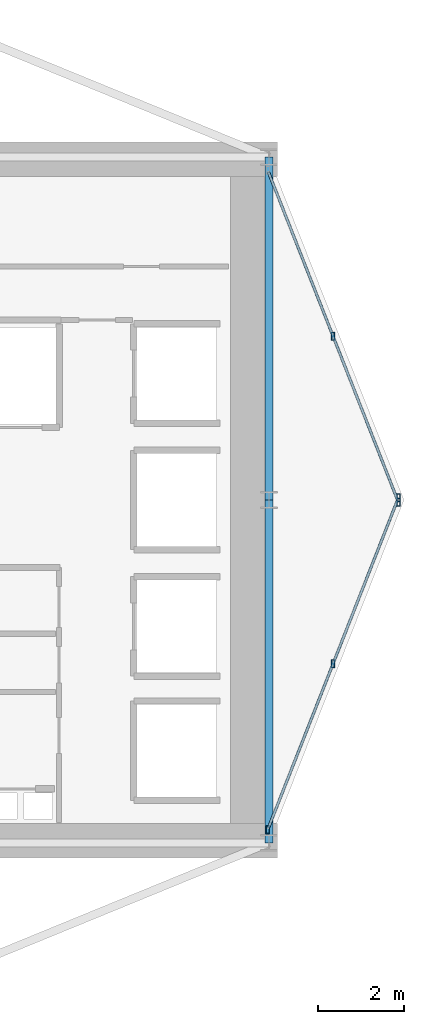
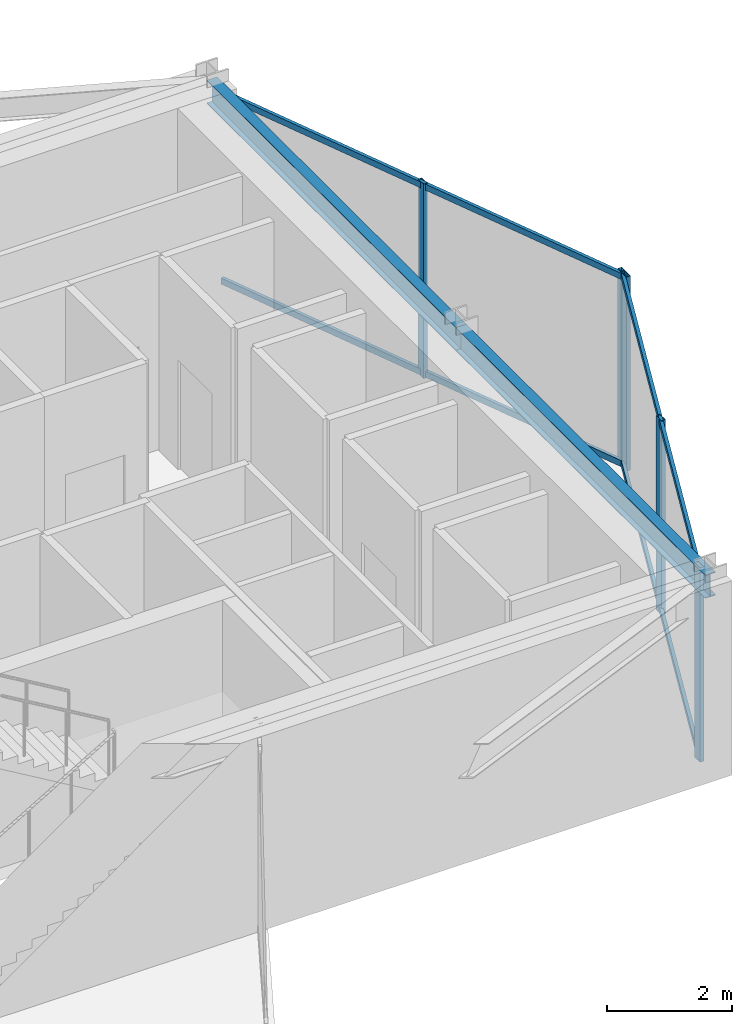
# One storey, part 14 of 25: 9 members, 2 beams, 2 elements without a shape of their own.
"""IFC4 building model written with IfcOpenShell, lengths in metres."""

import ifcopenshell
import ifcopenshell.guid

model = None  # the IFC model being written
_history = None  # IfcOwnerHistory: only IFC2X3 demands one
_inside = {}  # id of a spatial element -> (the spatial element, [elements in it])
_under = {}  # id of a project, library or spatial element -> (it, [spatial elements below it])
_declared = {}  # id of a project -> (the project, [libraries it declares])
_typed = {}  # id of a type object -> (the type object, [elements of that type])
_made_of = {}  # id of a material, layer set ... -> (it, [elements and type objects made of it])


def new_model(schema):
    """Start an empty IFC model of exactly this schema.

    Asked for "IFC4X3", IfcOpenShell would pick the latest addendum, in which some entities
    have other attributes; the version numbers below select the first issue.
    IFC2X3 requires an IfcOwnerHistory on every rooted entity: one is made here for all.
    """
    global model, _history
    if schema == "IFC4X3":
        model = ifcopenshell.file(schema_version=(4, 3, 0, 0))
    else:
        model = ifcopenshell.file(schema=schema)
    _inside.clear()
    _under.clear()
    _declared.clear()
    _typed.clear()
    _made_of.clear()
    _history = None
    if model.schema == "IFC2X3":
        org = make("IfcOrganization", Name="unknown")
        user = make(
            "IfcPersonAndOrganization",
            ThePerson=make("IfcPerson", FamilyName="unknown"),
            TheOrganization=org,
        )
        app = make(
            "IfcApplication",
            ApplicationDeveloper=org,
            Version="unknown",
            ApplicationFullName="unknown",
            ApplicationIdentifier="unknown",
        )
        _history = make(
            "IfcOwnerHistory",
            OwningUser=user,
            OwningApplication=app,
            ChangeAction="ADDED",
            CreationDate=0,
        )
    return model


def make(cls, **values):
    """One entity of the class cls with the attributes given. An attribute that is None is left unset."""
    return model.create_entity(
        cls, **{name: value for name, value in values.items() if value is not None}
    )


def rooted(cls, **values):
    """An entity with a GlobalId (a new one), such as an element, a storey or a relation."""
    return make(cls, GlobalId=ifcopenshell.guid.new(), OwnerHistory=_history, **values)


def si_unit(unit_type, name, prefix=None):
    """IfcSIUnit, for example si_unit("LENGTHUNIT", "METRE", prefix="MILLI")."""
    return make("IfcSIUnit", UnitType=unit_type, Prefix=prefix, Name=name)


def assignment(units):
    """IfcUnitAssignment: the units of a project."""
    return None if units is None else make("IfcUnitAssignment", Units=units)


def point(xyz):
    """IfcCartesianPoint."""
    return None if xyz is None else make("IfcCartesianPoint", Coordinates=xyz)


def direction(xyz):
    """IfcDirection."""
    return None if xyz is None else make("IfcDirection", DirectionRatios=xyz)


def frame(location, z_axis=None, x_axis=None):
    """IfcAxis2Placement3D, a coordinate frame: its origin and axes. An axis left out is left unset."""
    return make(
        "IfcAxis2Placement3D",
        Location=point(location),
        Axis=direction(z_axis),
        RefDirection=direction(x_axis),
    )


def frame_2d(location, x_axis=None):
    """IfcAxis2Placement2D, a coordinate frame in the plane: its origin and x axis."""
    return make(
        "IfcAxis2Placement2D", Location=point(location), RefDirection=direction(x_axis)
    )


def origin():
    """The frame at (0, 0, 0) with its axes left unset."""
    return frame((0.0, 0.0, 0.0))


def origin_2d():
    """The frame at (0, 0) in the plane with its x axis left unset."""
    return frame_2d((0.0, 0.0))


def place(relative_to, where):
    """IfcLocalPlacement: puts the frame where relative to a parent placement (None: the world)."""
    return make(
        "IfcLocalPlacement", PlacementRelTo=relative_to, RelativePlacement=where
    )


def context(
    kind, dimensions, precision=None, world=None, true_north=None, identifier=None
):
    """IfcGeometricRepresentationContext, for example the 3D "Model" context."""
    return make(
        "IfcGeometricRepresentationContext",
        ContextIdentifier=identifier,
        ContextType=kind,
        CoordinateSpaceDimension=dimensions,
        Precision=precision,
        WorldCoordinateSystem=world,
        TrueNorth=true_north,
    )


def subcontext(parent, identifier, kind, view, scale=None):
    """IfcGeometricRepresentationSubContext, for example "Body" below "Model"."""
    return make(
        "IfcGeometricRepresentationSubContext",
        ContextIdentifier=identifier,
        ContextType=kind,
        ParentContext=parent,
        TargetScale=scale,
        TargetView=view,
    )


def project(units=None, contexts=None):
    """IfcProject with its units and contexts."""
    return rooted(
        "IfcProject",
        Name="project",
        RepresentationContexts=contexts,
        UnitsInContext=assignment(units),
    )


def spatial(cls, under=None, at=None, **own):
    """A site, building, storey or space (cls), placed at a placement, below another one or the project."""
    s = rooted(cls, ObjectPlacement=at, **own)
    if under is not None:
        _under.setdefault(under.id(), (under, []))[1].append(s)
    return s


def profile(cls, at=None, kind="AREA", **sizes):
    """A parametric profile (cls). Its sizes go by their IFC names, for example OverallWidth=200.0."""
    return make(cls, ProfileType=kind, Position=at, **sizes)


def hollow_rectangle(**sizes):
    """IfcRectangleHollowProfileDef."""
    return profile("IfcRectangleHollowProfileDef", **sizes)


def i_section(**sizes):
    """IfcIShapeProfileDef."""
    return profile("IfcIShapeProfileDef", **sizes)


def extrude(swept, where, along, depth):
    """IfcExtrudedAreaSolid: the profile swept, set in the frame where, extruded along a direction by depth."""
    return make(
        "IfcExtrudedAreaSolid",
        SweptArea=swept,
        Position=where,
        ExtrudedDirection=direction(along),
        Depth=depth,
    )


def shape(context_of_items, identifier, shape_type, items):
    """IfcShapeRepresentation: the items that make up one representation, for example the "Body"."""
    return make(
        "IfcShapeRepresentation",
        ContextOfItems=context_of_items,
        RepresentationIdentifier=identifier,
        RepresentationType=shape_type,
        Items=items,
    )


def material(Name=None, Category=None):
    """IfcMaterial."""
    return make("IfcMaterial", Name=Name, Category=Category)


def layer(
    of_material, thickness, ventilated=None, Name=None, Category=None, Priority=None
):
    """IfcMaterialLayer: one layer of a wall or slab, of a material (None: an air gap)."""
    return make(
        "IfcMaterialLayer",
        Material=of_material,
        LayerThickness=thickness,
        IsVentilated=ventilated,
        Name=Name,
        Category=Category,
        Priority=Priority,
    )


def layer_set(layers, Name=None):
    """IfcMaterialLayerSet."""
    return make("IfcMaterialLayerSet", MaterialLayers=layers, LayerSetName=Name)


def material_profile(
    of_material, cross_section, Name=None, Category=None, Priority=None
):
    """IfcMaterialProfile: a cross section and its material."""
    return make(
        "IfcMaterialProfile",
        Name=Name,
        Material=of_material,
        Profile=cross_section,
        Priority=Priority,
        Category=Category,
    )


def profile_set(profiles, Name=None, composite=None):
    """IfcMaterialProfileSet."""
    return make(
        "IfcMaterialProfileSet",
        Name=Name,
        MaterialProfiles=profiles,
        CompositeProfile=composite,
    )


def made_of(thing, what):
    """Note that an element or type object is made of a material, layer set ...; save() writes the relation."""
    if what is not None:
        _made_of.setdefault(what.id(), (what, []))[1].append(thing)
    return thing


def type_object(cls, material=None, **own):
    """A type object (cls), such as IfcWallType, which elements share."""
    return made_of(rooted(cls, **own), material)


def element(
    cls,
    number,
    at=None,
    inside=None,
    cuts=None,
    type_object=None,
    material=None,
    context=None,
    identifier="Body",
    shape_type=None,
    held_by="IfcProductDefinitionShape",
    body=None,
    shapes=None,
    **own,
):
    """One element of the class cls, such as IfcWall. Its Tag is "e" and its number.

    at: its placement. inside: the storey or other place that contains it. cuts: it is an
    opening in that element (IfcRelVoidsElement). A single representation is given by context,
    identifier, shape_type and body (its items); several are given by shapes. held_by: the class
    of the entity that holds the representations. save() writes the other relations.
    """
    e = rooted(cls, Tag="e%d" % number, ObjectPlacement=at, **own)
    if body is not None:
        shapes = [shape(context, identifier, shape_type, body)]
    if shapes is not None:
        e.Representation = make(held_by, Representations=shapes)
    if inside is not None:
        _inside.setdefault(inside.id(), (inside, []))[1].append(e)
    if cuts is not None:
        rooted(
            "IfcRelVoidsElement", RelatingBuildingElement=cuts, RelatedOpeningElement=e
        )
    if type_object is not None:
        _typed.setdefault(type_object.id(), (type_object, []))[1].append(e)
    return made_of(e, material)


def aggregate(whole, parts):
    """IfcRelAggregates: a whole, such as a stair, and the parts it consists of."""
    return rooted("IfcRelAggregates", RelatingObject=whole, RelatedObjects=parts)


def save(model, path):
    """Write the relations noted so far, then the file.

    IfcRelAggregates (storeys below a building ...), IfcRelContainedInSpatialStructure (elements
    in a storey), IfcRelDefinesByType, IfcRelAssociatesMaterial and IfcRelDeclares: one each for
    every whole, place, type object, material and project.
    """
    for whole, parts in _under.values():
        aggregate(whole, parts)
    for where, things in _inside.values():
        rooted(
            "IfcRelContainedInSpatialStructure",
            RelatedElements=things,
            RelatingStructure=where,
        )
    for kind, things in _typed.values():
        rooted("IfcRelDefinesByType", RelatedObjects=things, RelatingType=kind)
    for what, things in _made_of.values():
        rooted("IfcRelAssociatesMaterial", RelatedObjects=things, RelatingMaterial=what)
    for by, libraries in _declared.values():
        rooted("IfcRelDeclares", RelatingContext=by, RelatedDefinitions=libraries)
    model.write(path)


model = new_model("IFC4")

# Units and contexts
model_context = context("Model", 3, precision=1e-05, world=origin(), true_north=direction((0.0, 1.0)))
body_context = subcontext(model_context, "Body", "Model", "MODEL_VIEW")
ifc_project = project(units=[si_unit("LENGTHUNIT", "METRE"), si_unit("AREAUNIT", "SQUARE_METRE"), si_unit("VOLUMEUNIT", "CUBIC_METRE"), si_unit("PLANEANGLEUNIT", "RADIAN"), si_unit("MASSUNIT", "GRAM", prefix="KILO")], contexts=[model_context])

# Site, building, storey
site_placement = place(None, origin())
site = spatial("IfcSite", under=ifc_project, at=site_placement, CompositionType="ELEMENT")
building_placement = place(site_placement, origin())
building = spatial("IfcBuilding", under=site, at=building_placement, Name="Veymaron Broadcast Tower", CompositionType="ELEMENT")
storey_placement = place(building_placement, frame((0.0, 0.0, 141.14990234375)))
storey = spatial("IfcBuildingStorey", under=building, at=storey_placement, Name="L32", CompositionType="ELEMENT", Elevation=141.14990234375)

# Beams
ifc_material_1 = material(Name="Structural steel ASTM A992 Gr 50", Category="steel")
ifc_material_profile_1 = material_profile(ifc_material_1, i_section(OverallWidth=0.19091796875, OverallDepth=0.4599609375, WebThickness=0.010009765625, FlangeThickness=0.01611328125, at=origin_2d()), Name="W460X82")
ifc_profile_set_1 = profile_set([ifc_material_profile_1], Name="Structural steel ASTM A992 Gr 50")
beam_type = type_object("IfcBeamType", Name="BM-SP1", PredefinedType="SPANDREL", material=ifc_profile_set_1)
for number, where, z_axis, x_axis, name in (
    (1, (54.60009765625, 16.0, 3.580078125), (0.0, 1.0, 0.0), (-1.0, 0.0, 0.0), "L32 primary structural floor girder"),
    (2, (54.60009765625, 24.0, 3.580078125), (0.0, 1.0, 0.0), (-1.0, 0.0, 0.0), "L32 primary structural floor girder"),
):
    element("IfcBeam", number, at=place(storey_placement, frame(where, z_axis=z_axis, x_axis=x_axis)), inside=storey, type_object=beam_type, Name=name, PredefinedType="SPANDREL", context=body_context, shape_type="SweptSolid", body=[
        extrude(i_section(OverallWidth=0.19091796875, OverallDepth=0.4599609375, WebThickness=0.010009765625, FlangeThickness=0.01611328125, at=origin_2d()), origin(), (0.0, 0.0, 1.0), 8.0),
    ])

# Curtain wall, members
ifc_material_2 = material(Name="Anodised aluminium AA 6063-T6 and laminated low-E dark glass", Category="aluminium")
ifc_layer = layer(ifc_material_2, 0.179931640625)
ifc_layer_set = layer_set([ifc_layer], Name="Anodised aluminium AA 6063-T6 and laminated low-E dark glass")
curtain_wall_type = type_object("IfcCurtainWallType", Name="CW-SYS-03", PredefinedType="NOTDEFINED", material=ifc_layer_set)
curtain_wall_1_placement = place(storey_placement, origin())
curtain_wall_1 = element("IfcCurtainWall", 3, at=curtain_wall_1_placement, inside=storey, type_object=curtain_wall_type, Name="L32 dark-glass curtain wall CW-L32-E2-1", PredefinedType="NOTDEFINED")
ifc_material_3 = material(Name="Anodised aluminium AA 6063-T6", Category="aluminium")
ifc_material_profile_2 = material_profile(ifc_material_3, hollow_rectangle(XDim=0.074951171875, YDim=0.179931640625, WallThickness=0.0048828125, at=origin_2d()), Name="AL180X75X5")
ifc_profile_set_2 = profile_set([ifc_material_profile_2], Name="Anodised aluminium AA 6063-T6")
member_type_1 = type_object("IfcMemberType", Name="CW-MUL-02", PredefinedType="MULLION", material=ifc_profile_set_2)
member_1_placement = place(storey_placement, frame((54.569091796875, 16.303466796875, 0.0), z_axis=(0.0, 0.0, 1.0), x_axis=(1.0, 0.0, 0.0)))
member_1 = element("IfcMember", 4, at=member_1_placement, type_object=member_type_1, Name="CW-L32-E2-1 mullion 0", PredefinedType="MULLION", context=body_context, shape_type="SweptSolid", body=[
    extrude(hollow_rectangle(XDim=0.074951171875, YDim=0.179931640625, WallThickness=0.0048828125, at=origin_2d()), origin(), (0.0, 0.0, 1.0), 3.81005859375),
])
member_2_placement = place(storey_placement, frame((56.094482421875, 20.177490234375, 0.0), z_axis=(0.0, 0.0, 1.0), x_axis=(1.0, 0.0, 0.0)))
member_2 = element("IfcMember", 5, at=member_2_placement, type_object=member_type_1, Name="CW-L32-E2-1 mullion 1", PredefinedType="MULLION", context=body_context, shape_type="SweptSolid", body=[
    extrude(hollow_rectangle(XDim=0.074951171875, YDim=0.179931640625, WallThickness=0.0048828125, at=origin_2d()), origin(), (0.0, 0.0, 1.0), 3.81005859375),
])
member_3_placement = place(storey_placement, frame((57.61962890625, 24.05126953125, 0.0), z_axis=(0.0, 0.0, 1.0), x_axis=(1.0, 0.0, 0.0)))
member_3 = element("IfcMember", 6, at=member_3_placement, type_object=member_type_1, Name="CW-L32-E2-1 mullion 2", PredefinedType="MULLION", context=body_context, shape_type="SweptSolid", body=[
    extrude(hollow_rectangle(XDim=0.074951171875, YDim=0.179931640625, WallThickness=0.0048828125, at=origin_2d()), origin(), (0.0, 0.0, 1.0), 3.81005859375),
])

curtain_wall_2_placement = place(storey_placement, origin())
curtain_wall_2 = element("IfcCurtainWall", 7, at=curtain_wall_2_placement, inside=storey, type_object=curtain_wall_type, Name="L32 dark-glass curtain wall CW-L32-E3-1", PredefinedType="NOTDEFINED")
member_4_placement = place(storey_placement, frame((57.61962890625, 23.94873046875, 0.0), z_axis=(0.0, 0.0, 1.0), x_axis=(1.0, 0.0, 0.0)))
member_4 = element("IfcMember", 8, at=member_4_placement, type_object=member_type_1, Name="CW-L32-E3-1 mullion 0", PredefinedType="MULLION", context=body_context, shape_type="SweptSolid", body=[
    extrude(hollow_rectangle(XDim=0.074951171875, YDim=0.179931640625, WallThickness=0.0048828125, at=origin_2d()), origin(), (0.0, 0.0, 1.0), 3.81005859375),
])
member_5_placement = place(storey_placement, frame((56.094482421875, 27.822509765625, 0.0), z_axis=(0.0, 0.0, 1.0), x_axis=(1.0, 0.0, 0.0)))
member_5 = element("IfcMember", 9, at=member_5_placement, type_object=member_type_1, Name="CW-L32-E3-1 mullion 1", PredefinedType="MULLION", context=body_context, shape_type="SweptSolid", body=[
    extrude(hollow_rectangle(XDim=0.074951171875, YDim=0.179931640625, WallThickness=0.0048828125, at=origin_2d()), origin(), (0.0, 0.0, 1.0), 3.81005859375),
])

# Member
ifc_material_profile_3 = material_profile(ifc_material_3, hollow_rectangle(XDim=0.06005859375, YDim=0.1201171875, WallThickness=0.00390625, at=origin_2d()), Name="AL120X60X4")
ifc_profile_set_3 = profile_set([ifc_material_profile_3], Name="Anodised aluminium AA 6063-T6")
member_type_2 = type_object("IfcMemberType", Name="CW-TRN-02", PredefinedType="USERDEFINED", material=ifc_profile_set_3)
member_6_placement = place(storey_placement, frame((54.58740234375, 16.349853515625, 0.070068359375), z_axis=(0.366345467146, 0.930478908252, 0.0), x_axis=(-0.930478908252, 0.366345467146, 0.0)))
member_6 = element("IfcMember", 10, at=member_6_placement, type_object=member_type_2, Name="CW-L32-E2-1 transom B", ObjectType="TRANSOM", PredefinedType="USERDEFINED", context=body_context, shape_type="SweptSolid", body=[
    extrude(hollow_rectangle(XDim=0.06005859375, YDim=0.1201171875, WallThickness=0.00390625, at=origin_2d()), origin(), (0.0, 0.0, 1.0), 8.22705078125),
])

member_7_placement = place(storey_placement, frame((54.58740234375, 16.349853515625, 3.739990234375), z_axis=(0.366345467146, 0.930478908252, 0.0), x_axis=(-0.930478908252, 0.366345467146, 0.0)))
member_7 = element("IfcMember", 11, at=member_7_placement, type_object=member_type_2, Name="CW-L32-E2-1 transom T", ObjectType="TRANSOM", PredefinedType="USERDEFINED", context=body_context, shape_type="SweptSolid", body=[
    extrude(hollow_rectangle(XDim=0.06005859375, YDim=0.1201171875, WallThickness=0.00390625, at=origin_2d()), origin(), (0.0, 0.0, 1.0), 8.22705078125),
])

aggregate(curtain_wall_1, [member_1, member_2, member_3, member_6, member_7])

member_8_placement = place(storey_placement, frame((57.601318359375, 23.9951171875, 0.070068359375), z_axis=(-0.366345467146, 0.930478908252, 0.0), x_axis=(-0.930478908252, -0.366345467146, 0.0)))
member_8 = element("IfcMember", 12, at=member_8_placement, type_object=member_type_2, Name="CW-L32-E3-1 transom B", ObjectType="TRANSOM", PredefinedType="USERDEFINED", context=body_context, shape_type="SweptSolid", body=[
    extrude(hollow_rectangle(XDim=0.06005859375, YDim=0.1201171875, WallThickness=0.00390625, at=origin_2d()), origin(), (0.0, 0.0, 1.0), 8.22705078125),
])

member_9_placement = place(storey_placement, frame((57.601318359375, 23.9951171875, 3.739990234375), z_axis=(-0.366345467146, 0.930478908252, 0.0), x_axis=(-0.930478908252, -0.366345467146, 0.0)))
member_9 = element("IfcMember", 13, at=member_9_placement, type_object=member_type_2, Name="CW-L32-E3-1 transom T", ObjectType="TRANSOM", PredefinedType="USERDEFINED", context=body_context, shape_type="SweptSolid", body=[
    extrude(hollow_rectangle(XDim=0.06005859375, YDim=0.1201171875, WallThickness=0.00390625, at=origin_2d()), origin(), (0.0, 0.0, 1.0), 8.22705078125),
])

aggregate(curtain_wall_2, [member_4, member_5, member_8, member_9])

save(model, "model.ifc")
